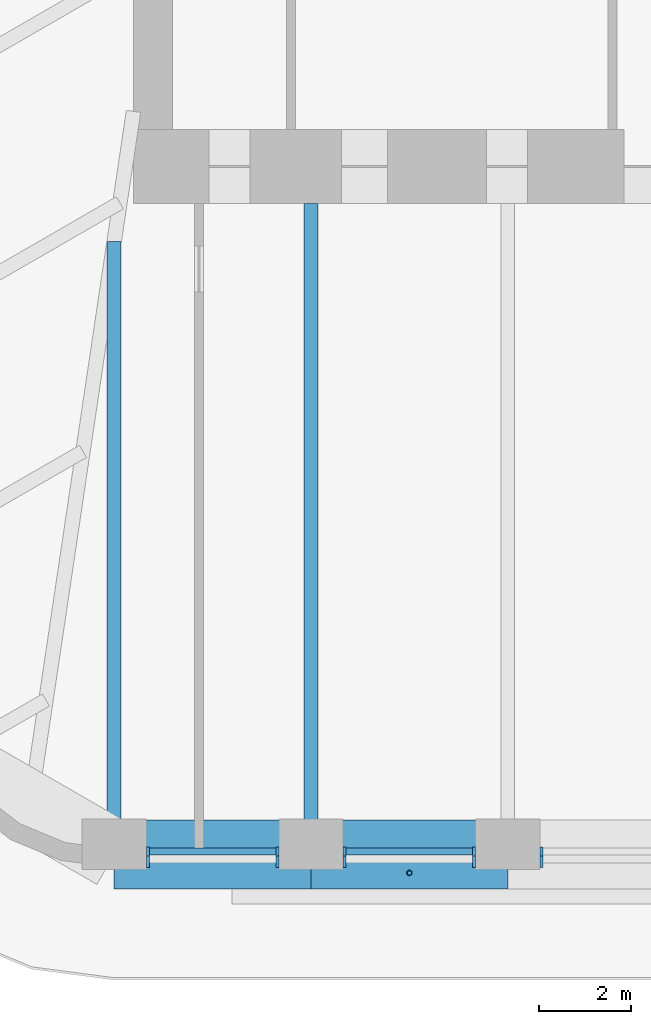
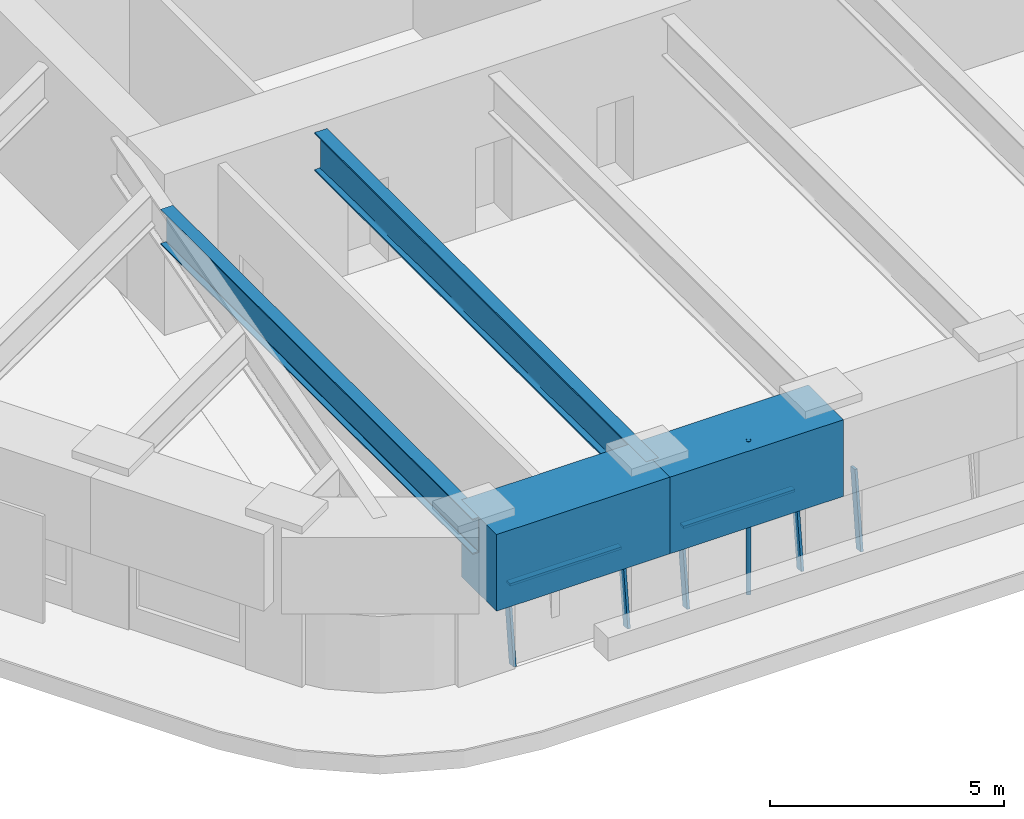
# One storey, part 2 of 18: 8 members, 4 beams, 3 elements without a shape of their own.
"""IFC4 building model written with IfcOpenShell, lengths in metres."""

from ifc_helpers import new_model, si_unit, direction, frame, origin, origin_2d, place, context, subcontext, project, spatial, rectangle, hollow_circle, i_section, extrude, material, material_profile, profile_set, type_object, element, aggregate, save


model = new_model("IFC4")

# Units and contexts
model_context = context("Model", 3, precision=1e-05, world=origin(), true_north=direction((0.0, 1.0)))
body_context = subcontext(model_context, "Body", "Model", "MODEL_VIEW")
ifc_project = project(units=[si_unit("LENGTHUNIT", "METRE"), si_unit("AREAUNIT", "SQUARE_METRE"), si_unit("VOLUMEUNIT", "CUBIC_METRE"), si_unit("PLANEANGLEUNIT", "RADIAN"), si_unit("MASSUNIT", "GRAM", prefix="KILO")], contexts=[model_context])

# Site, building, storey
site_placement = place(None, origin())
site = spatial("IfcSite", under=ifc_project, at=site_placement, CompositionType="ELEMENT")
building_placement = place(site_placement, origin())
building = spatial("IfcBuilding", under=site, at=building_placement, Name="Tarfa Lantern Tower", CompositionType="ELEMENT")
storey_placement = place(building_placement, frame((0.0, 0.0, 315.699951171875)))
storey = spatial("IfcBuildingStorey", under=building, at=storey_placement, Name="L71", CompositionType="ELEMENT", Elevation=315.699951171875)

# Curtain wall, members
ifc_material_1 = material(Name="Aluminium framed curtain wall", Category="aluminium")
curtain_wall_type = type_object("IfcCurtainWallType", Name="CW4 CANTED GLAZING EXECUTIVE ZONE 2000", PredefinedType="USERDEFINED", material=ifc_material_1)
curtain_wall_1_placement = place(storey_placement, origin())
curtain_wall_1 = element("IfcCurtainWall", 1, at=curtain_wall_1_placement, inside=storey, type_object=curtain_wall_type, Name="CW4 S L71", ObjectType="CURTAIN WALL", PredefinedType="USERDEFINED")
ifc_material_2 = material(Name="Aluminium mullion", Category="aluminium")
ifc_material_profile_1 = material_profile(ifc_material_2, rectangle(XDim=0.06494140625, YDim=0.199951171875, at=origin_2d()), Name="AL MULLION 65x200")
ifc_profile_set_1 = profile_set([ifc_material_profile_1], Name="Aluminium mullion")
member_type_1 = type_object("IfcMemberType", Name="CWM1 MULLION 65x200", PredefinedType="MULLION", material=ifc_profile_set_1)
member_1_placement = place(storey_placement, frame((-12.113525390625, -26.64990234375, 0.0), z_axis=(0.0, 0.124034734589, 0.992277876714), x_axis=(-1.0, 0.0, 0.0)))
member_1 = element("IfcMember", 2, at=member_1_placement, type_object=member_type_1, Name="CW4 mullion 1", PredefinedType="MULLION", context=body_context, shape_type="SweptSolid", body=[
    extrude(rectangle(XDim=0.06494140625, YDim=0.199951171875, at=origin_2d()), origin(), (0.0, 0.0, 1.0), 2.015625),
])
member_2_placement = place(storey_placement, frame((-9.296630859375, -26.64990234375, 0.0), z_axis=(0.0, 0.124034734589, 0.992277876714), x_axis=(-1.0, 0.0, 0.0)))
member_2 = element("IfcMember", 3, at=member_2_placement, type_object=member_type_1, Name="CW4 mullion 2", PredefinedType="MULLION", context=body_context, shape_type="SweptSolid", body=[
    extrude(rectangle(XDim=0.06494140625, YDim=0.199951171875, at=origin_2d()), origin(), (0.0, 0.0, 1.0), 2.015625),
])

curtain_wall_2_placement = place(storey_placement, origin())
curtain_wall_2 = element("IfcCurtainWall", 4, at=curtain_wall_2_placement, inside=storey, type_object=curtain_wall_type, Name="CW4 S L71", ObjectType="CURTAIN WALL", PredefinedType="USERDEFINED")
member_3_placement = place(storey_placement, frame((-7.83154296875, -26.64990234375, 0.0), z_axis=(0.0, 0.124034734589, 0.992277876714), x_axis=(-1.0, 0.0, 0.0)))
member_3 = element("IfcMember", 5, at=member_3_placement, type_object=member_type_1, Name="CW4 mullion 1", PredefinedType="MULLION", context=body_context, shape_type="SweptSolid", body=[
    extrude(rectangle(XDim=0.06494140625, YDim=0.199951171875, at=origin_2d()), origin(), (0.0, 0.0, 1.0), 2.015625),
])
member_4_placement = place(storey_placement, frame((-5.014404296875, -26.64990234375, 0.0), z_axis=(0.0, 0.124034734589, 0.992277876714), x_axis=(-1.0, 0.0, 0.0)))
member_4 = element("IfcMember", 6, at=member_4_placement, type_object=member_type_1, Name="CW4 mullion 2", PredefinedType="MULLION", context=body_context, shape_type="SweptSolid", body=[
    extrude(rectangle(XDim=0.06494140625, YDim=0.199951171875, at=origin_2d()), origin(), (0.0, 0.0, 1.0), 2.015625),
])

# Curtain wall, member
curtain_wall_3_placement = place(storey_placement, origin())
curtain_wall_3 = element("IfcCurtainWall", 7, at=curtain_wall_3_placement, inside=storey, type_object=curtain_wall_type, Name="CW4 S L71", ObjectType="CURTAIN WALL", PredefinedType="USERDEFINED")
member_5_placement = place(storey_placement, frame((-3.549560546875, -26.64990234375, 0.0), z_axis=(0.0, 0.124034734589, 0.992277876714), x_axis=(-1.0, 0.0, 0.0)))
member_5 = element("IfcMember", 8, at=member_5_placement, type_object=member_type_1, Name="CW4 mullion 1", PredefinedType="MULLION", context=body_context, shape_type="SweptSolid", body=[
    extrude(rectangle(XDim=0.06494140625, YDim=0.199951171875, at=origin_2d()), origin(), (0.0, 0.0, 1.0), 2.015625),
])
aggregate(curtain_wall_3, [member_5])

# Member
ifc_material_3 = material(Name="Aluminium transom", Category="aluminium")
ifc_material_profile_2 = material_profile(ifc_material_3, rectangle(XDim=0.14990234375, YDim=0.06494140625, at=origin_2d()), Name="AL TRANSOM 150x65")
ifc_profile_set_2 = profile_set([ifc_material_profile_2], Name="Aluminium transom")
member_type_2 = type_object("IfcMemberType", Name="CWT1 TRANSOM 150x65", PredefinedType="USERDEFINED", material=ifc_profile_set_2)
member_6_placement = place(storey_placement, frame((-12.0810546875, -26.404052734375, 1.967529296875), z_axis=(1.0, 0.0, 0.0), x_axis=(0.0, 1.0, 0.0)))
member_6 = element("IfcMember", 9, at=member_6_placement, type_object=member_type_2, Name="CW4 transom 1.2", ObjectType="TRANSOM", PredefinedType="USERDEFINED", context=body_context, shape_type="SweptSolid", body=[
    extrude(rectangle(XDim=0.14990234375, YDim=0.06494140625, at=origin_2d()), origin(), (0.0, 0.0, 1.0), 2.751953125),
])

aggregate(curtain_wall_1, [member_1, member_2, member_6])

member_7_placement = place(storey_placement, frame((-7.799072265625, -26.404052734375, 1.967529296875), z_axis=(1.0, 0.0, 0.0), x_axis=(0.0, 1.0, 0.0)))
member_7 = element("IfcMember", 10, at=member_7_placement, type_object=member_type_2, Name="CW4 transom 1.2", ObjectType="TRANSOM", PredefinedType="USERDEFINED", context=body_context, shape_type="SweptSolid", body=[
    extrude(rectangle(XDim=0.14990234375, YDim=0.06494140625, at=origin_2d()), origin(), (0.0, 0.0, 1.0), 2.751953125),
])

aggregate(curtain_wall_2, [member_3, member_4, member_7])

# Beams
ifc_material_4 = material(Name="Concrete C80/95", Category="concrete")
ifc_material_profile_3 = material_profile(ifc_material_4, rectangle(XDim=1.5, YDim=2.0, at=origin_2d()), Name="RC 1500x2000")
ifc_profile_set_3 = profile_set([ifc_material_profile_3], Name="Concrete C80/95")
beam_type_1 = type_object("IfcBeamType", Name="RB3 RC 1500x2000", PredefinedType="BEAM", material=ifc_profile_set_3)
for number, where, z_axis, x_axis, name in (
    (11, (-12.845947265625, -26.469970703125, 3.0), (1.0, 0.0, 0.0), (0.0, 1.0, 0.0), "Edge beam S0"),
    (12, (-8.56396484375, -26.469970703125, 3.0), (1.0, 0.0, 0.0), (0.0, 1.0, 0.0), "Edge beam S1"),
):
    element("IfcBeam", number, at=place(storey_placement, frame(where, z_axis=z_axis, x_axis=x_axis)), inside=storey, type_object=beam_type_1, Name=name, PredefinedType="BEAM", context=body_context, shape_type="SweptSolid", body=[
        extrude(rectangle(XDim=1.5, YDim=2.0, at=origin_2d()), origin(), (0.0, 0.0, 1.0), 4.281982421875),
    ])

# Member
ifc_material_5 = material(Name="Steel S355", Category="steel")
ifc_material_profile_4 = material_profile(ifc_material_5, hollow_circle(Radius=0.05712890625, WallThickness=0.00634765625, at=origin_2d()), Name="CHS114.3x6.3")
ifc_profile_set_4 = profile_set([ifc_material_profile_4], Name="Steel S355")
member_type_3 = type_object("IfcMemberType", Name="TR1 GREEN WALL TRELLIS CHS114.3x6.3", PredefinedType="USERDEFINED", material=ifc_profile_set_4)
member_8_placement = place(storey_placement, frame((-6.423095703125, -26.8701171875, 0.0), z_axis=(0.0, 0.0, 1.0), x_axis=(1.0, 0.0, 0.0)))
element("IfcMember", 13, at=member_8_placement, inside=storey, type_object=member_type_3, Name="Trellis post S 1", ObjectType="TRELLIS", PredefinedType="USERDEFINED", context=body_context, shape_type="SweptSolid", body=[
    extrude(hollow_circle(Radius=0.05712890625, WallThickness=0.00634765625, at=origin_2d()), origin(), (0.0, 0.0, 1.0), 4.0),
])

# Beams
ifc_material_6 = material(Name="Steel S460M", Category="steel")
ifc_material_profile_5 = material_profile(ifc_material_6, i_section(OverallWidth=0.302001953125, OverallDepth=1.008056640625, WebThickness=0.02099609375, FlangeThickness=0.0400390625, FilletRadius=0.030029296875, at=origin_2d()), Name="UB1016x305x349")
ifc_profile_set_5 = profile_set([ifc_material_profile_5], Name="Steel S460M")
beam_type_2 = type_object("IfcBeamType", Name="UB1016x305x349", PredefinedType="BEAM", material=ifc_profile_set_5)
beam_1_placement = place(storey_placement, frame((-8.56396484375, -26.469970703125, 3.49609375), z_axis=(0.0, 1.0, 0.0), x_axis=(-1.0, 0.0, 0.0)))
element("IfcBeam", 14, at=beam_1_placement, inside=storey, type_object=beam_type_2, Name="Floor beam S1", PredefinedType="BEAM", context=body_context, shape_type="SweptSolid", body=[
    extrude(i_section(OverallWidth=0.302001953125, OverallDepth=1.008056640625, WebThickness=0.02099609375, FlangeThickness=0.0400390625, FilletRadius=0.030029296875, at=origin_2d()), origin(), (0.0, 0.0, 1.0), 14.169921875),
])
ifc_material_profile_6 = material_profile(ifc_material_6, i_section(OverallWidth=0.305419921875, OverallDepth=0.91845703125, WebThickness=0.017333984375, FlangeThickness=0.02783203125, FilletRadius=0.01904296875, at=origin_2d()), Name="UB914x305x253")
ifc_profile_set_6 = profile_set([ifc_material_profile_6], Name="Steel S460M")
beam_type_3 = type_object("IfcBeamType", Name="UB914x305x253", PredefinedType="BEAM", material=ifc_profile_set_6)
beam_2_placement = place(storey_placement, frame((-12.845947265625, -26.469970703125, 3.540771484375), z_axis=(0.0, 1.0, 0.0), x_axis=(-1.0, 0.0, 0.0)))
element("IfcBeam", 15, at=beam_2_placement, inside=storey, type_object=beam_type_3, Name="Floor beam S0", PredefinedType="BEAM", context=body_context, shape_type="SweptSolid", body=[
    extrude(i_section(OverallWidth=0.305419921875, OverallDepth=0.91845703125, WebThickness=0.017333984375, FlangeThickness=0.02783203125, FilletRadius=0.01904296875, at=origin_2d()), origin(), (0.0, 0.0, 1.0), 13.33935546875),
])

save(model, "model.ifc")
